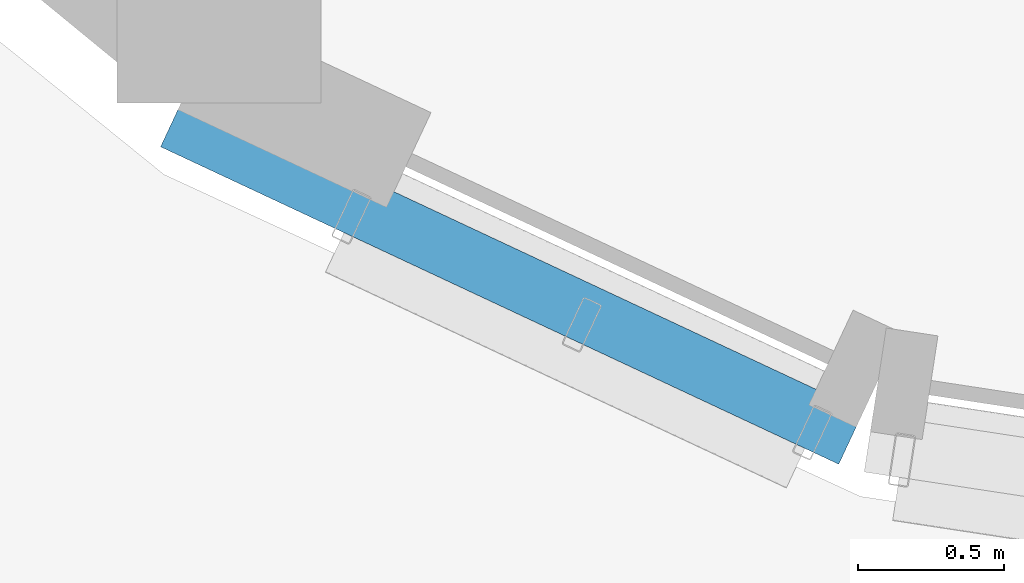
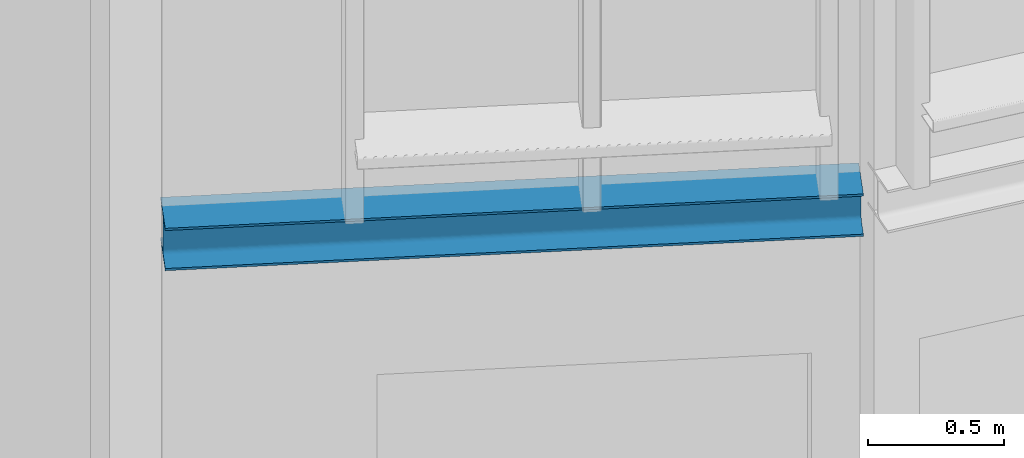
# One storey, part 139 of 372: 1 beam.
"""IFC4 building model written with IfcOpenShell, lengths in metres."""

import ifcopenshell
import ifcopenshell.guid

model = None  # the IFC model being written
_history = None  # IfcOwnerHistory: only IFC2X3 demands one
_inside = {}  # id of a spatial element -> (the spatial element, [elements in it])
_under = {}  # id of a project, library or spatial element -> (it, [spatial elements below it])
_declared = {}  # id of a project -> (the project, [libraries it declares])
_typed = {}  # id of a type object -> (the type object, [elements of that type])
_made_of = {}  # id of a material, layer set ... -> (it, [elements and type objects made of it])


def new_model(schema):
    """Start an empty IFC model of exactly this schema.

    Asked for "IFC4X3", IfcOpenShell would pick the latest addendum, in which some entities
    have other attributes; the version numbers below select the first issue.
    IFC2X3 requires an IfcOwnerHistory on every rooted entity: one is made here for all.
    """
    global model, _history
    if schema == "IFC4X3":
        model = ifcopenshell.file(schema_version=(4, 3, 0, 0))
    else:
        model = ifcopenshell.file(schema=schema)
    _inside.clear()
    _under.clear()
    _declared.clear()
    _typed.clear()
    _made_of.clear()
    _history = None
    if model.schema == "IFC2X3":
        org = make("IfcOrganization", Name="unknown")
        user = make(
            "IfcPersonAndOrganization",
            ThePerson=make("IfcPerson", FamilyName="unknown"),
            TheOrganization=org,
        )
        app = make(
            "IfcApplication",
            ApplicationDeveloper=org,
            Version="unknown",
            ApplicationFullName="unknown",
            ApplicationIdentifier="unknown",
        )
        _history = make(
            "IfcOwnerHistory",
            OwningUser=user,
            OwningApplication=app,
            ChangeAction="ADDED",
            CreationDate=0,
        )
    return model


def make(cls, **values):
    """One entity of the class cls with the attributes given. An attribute that is None is left unset."""
    return model.create_entity(
        cls, **{name: value for name, value in values.items() if value is not None}
    )


def rooted(cls, **values):
    """An entity with a GlobalId (a new one), such as an element, a storey or a relation."""
    return make(cls, GlobalId=ifcopenshell.guid.new(), OwnerHistory=_history, **values)


def si_unit(unit_type, name, prefix=None):
    """IfcSIUnit, for example si_unit("LENGTHUNIT", "METRE", prefix="MILLI")."""
    return make("IfcSIUnit", UnitType=unit_type, Prefix=prefix, Name=name)


def assignment(units):
    """IfcUnitAssignment: the units of a project."""
    return None if units is None else make("IfcUnitAssignment", Units=units)


def point(xyz):
    """IfcCartesianPoint."""
    return None if xyz is None else make("IfcCartesianPoint", Coordinates=xyz)


def direction(xyz):
    """IfcDirection."""
    return None if xyz is None else make("IfcDirection", DirectionRatios=xyz)


def frame(location, z_axis=None, x_axis=None):
    """IfcAxis2Placement3D, a coordinate frame: its origin and axes. An axis left out is left unset."""
    return make(
        "IfcAxis2Placement3D",
        Location=point(location),
        Axis=direction(z_axis),
        RefDirection=direction(x_axis),
    )


def frame_2d(location, x_axis=None):
    """IfcAxis2Placement2D, a coordinate frame in the plane: its origin and x axis."""
    return make(
        "IfcAxis2Placement2D", Location=point(location), RefDirection=direction(x_axis)
    )


def origin():
    """The frame at (0, 0, 0) with its axes left unset."""
    return frame((0.0, 0.0, 0.0))


def origin_2d():
    """The frame at (0, 0) in the plane with its x axis left unset."""
    return frame_2d((0.0, 0.0))


def place(relative_to, where):
    """IfcLocalPlacement: puts the frame where relative to a parent placement (None: the world)."""
    return make(
        "IfcLocalPlacement", PlacementRelTo=relative_to, RelativePlacement=where
    )


def context(
    kind, dimensions, precision=None, world=None, true_north=None, identifier=None
):
    """IfcGeometricRepresentationContext, for example the 3D "Model" context."""
    return make(
        "IfcGeometricRepresentationContext",
        ContextIdentifier=identifier,
        ContextType=kind,
        CoordinateSpaceDimension=dimensions,
        Precision=precision,
        WorldCoordinateSystem=world,
        TrueNorth=true_north,
    )


def subcontext(parent, identifier, kind, view, scale=None):
    """IfcGeometricRepresentationSubContext, for example "Body" below "Model"."""
    return make(
        "IfcGeometricRepresentationSubContext",
        ContextIdentifier=identifier,
        ContextType=kind,
        ParentContext=parent,
        TargetScale=scale,
        TargetView=view,
    )


def project(units=None, contexts=None):
    """IfcProject with its units and contexts."""
    return rooted(
        "IfcProject",
        Name="project",
        RepresentationContexts=contexts,
        UnitsInContext=assignment(units),
    )


def spatial(cls, under=None, at=None, **own):
    """A site, building, storey or space (cls), placed at a placement, below another one or the project."""
    s = rooted(cls, ObjectPlacement=at, **own)
    if under is not None:
        _under.setdefault(under.id(), (under, []))[1].append(s)
    return s


def profile(cls, at=None, kind="AREA", **sizes):
    """A parametric profile (cls). Its sizes go by their IFC names, for example OverallWidth=200.0."""
    return make(cls, ProfileType=kind, Position=at, **sizes)


def i_section(**sizes):
    """IfcIShapeProfileDef."""
    return profile("IfcIShapeProfileDef", **sizes)


def extrude(swept, where, along, depth):
    """IfcExtrudedAreaSolid: the profile swept, set in the frame where, extruded along a direction by depth."""
    return make(
        "IfcExtrudedAreaSolid",
        SweptArea=swept,
        Position=where,
        ExtrudedDirection=direction(along),
        Depth=depth,
    )


def shape(context_of_items, identifier, shape_type, items):
    """IfcShapeRepresentation: the items that make up one representation, for example the "Body"."""
    return make(
        "IfcShapeRepresentation",
        ContextOfItems=context_of_items,
        RepresentationIdentifier=identifier,
        RepresentationType=shape_type,
        Items=items,
    )


def material(Name=None, Category=None):
    """IfcMaterial."""
    return make("IfcMaterial", Name=Name, Category=Category)


def material_profile(
    of_material, cross_section, Name=None, Category=None, Priority=None
):
    """IfcMaterialProfile: a cross section and its material."""
    return make(
        "IfcMaterialProfile",
        Name=Name,
        Material=of_material,
        Profile=cross_section,
        Priority=Priority,
        Category=Category,
    )


def profile_set(profiles, Name=None, composite=None):
    """IfcMaterialProfileSet."""
    return make(
        "IfcMaterialProfileSet",
        Name=Name,
        MaterialProfiles=profiles,
        CompositeProfile=composite,
    )


def made_of(thing, what):
    """Note that an element or type object is made of a material, layer set ...; save() writes the relation."""
    if what is not None:
        _made_of.setdefault(what.id(), (what, []))[1].append(thing)
    return thing


def type_object(cls, material=None, **own):
    """A type object (cls), such as IfcWallType, which elements share."""
    return made_of(rooted(cls, **own), material)


def element(
    cls,
    number,
    at=None,
    inside=None,
    cuts=None,
    type_object=None,
    material=None,
    context=None,
    identifier="Body",
    shape_type=None,
    held_by="IfcProductDefinitionShape",
    body=None,
    shapes=None,
    **own,
):
    """One element of the class cls, such as IfcWall. Its Tag is "e" and its number.

    at: its placement. inside: the storey or other place that contains it. cuts: it is an
    opening in that element (IfcRelVoidsElement). A single representation is given by context,
    identifier, shape_type and body (its items); several are given by shapes. held_by: the class
    of the entity that holds the representations. save() writes the other relations.
    """
    e = rooted(cls, Tag="e%d" % number, ObjectPlacement=at, **own)
    if body is not None:
        shapes = [shape(context, identifier, shape_type, body)]
    if shapes is not None:
        e.Representation = make(held_by, Representations=shapes)
    if inside is not None:
        _inside.setdefault(inside.id(), (inside, []))[1].append(e)
    if cuts is not None:
        rooted(
            "IfcRelVoidsElement", RelatingBuildingElement=cuts, RelatedOpeningElement=e
        )
    if type_object is not None:
        _typed.setdefault(type_object.id(), (type_object, []))[1].append(e)
    return made_of(e, material)


def aggregate(whole, parts):
    """IfcRelAggregates: a whole, such as a stair, and the parts it consists of."""
    return rooted("IfcRelAggregates", RelatingObject=whole, RelatedObjects=parts)


def save(model, path):
    """Write the relations noted so far, then the file.

    IfcRelAggregates (storeys below a building ...), IfcRelContainedInSpatialStructure (elements
    in a storey), IfcRelDefinesByType, IfcRelAssociatesMaterial and IfcRelDeclares: one each for
    every whole, place, type object, material and project.
    """
    for whole, parts in _under.values():
        aggregate(whole, parts)
    for where, things in _inside.values():
        rooted(
            "IfcRelContainedInSpatialStructure",
            RelatedElements=things,
            RelatingStructure=where,
        )
    for kind, things in _typed.values():
        rooted("IfcRelDefinesByType", RelatedObjects=things, RelatingType=kind)
    for what, things in _made_of.values():
        rooted("IfcRelAssociatesMaterial", RelatedObjects=things, RelatingMaterial=what)
    for by, libraries in _declared.values():
        rooted("IfcRelDeclares", RelatingContext=by, RelatedDefinitions=libraries)
    model.write(path)


model = new_model("IFC4")

# Units and contexts
model_context = context("Model", 3, precision=1e-05, world=origin(), true_north=direction((0.0, 1.0)))
body_context = subcontext(model_context, "Body", "Model", "MODEL_VIEW")
ifc_project = project(units=[si_unit("LENGTHUNIT", "METRE"), si_unit("AREAUNIT", "SQUARE_METRE"), si_unit("VOLUMEUNIT", "CUBIC_METRE"), si_unit("PLANEANGLEUNIT", "RADIAN"), si_unit("MASSUNIT", "GRAM", prefix="KILO")], contexts=[model_context])

# Site, building, storey
site_placement = place(None, origin())
site = spatial("IfcSite", under=ifc_project, at=site_placement, CompositionType="ELEMENT")
building_placement = place(site_placement, origin())
building = spatial("IfcBuilding", under=site, at=building_placement, Name="Kaelora Sail Theatre", CompositionType="ELEMENT")
storey_placement = place(building_placement, origin())
storey = spatial("IfcBuildingStorey", under=building, at=storey_placement, Name="L00", CompositionType="ELEMENT", Elevation=0.0)

# Beam
ifc_material = material(Name="Steel S355", Category="steel")
ifc_material_profile = material_profile(ifc_material, i_section(OverallWidth=0.199951171875, OverallDepth=0.18994140625, WebThickness=0.006591796875, FlangeThickness=0.010009765625, FilletRadius=0.01806640625, at=origin_2d()), Name="HEA 200")
ifc_profile_set = profile_set([ifc_material_profile], Name="Steel S355")
beam_type = type_object("IfcBeamType", Name="STR-BM-BM-HEA200", PredefinedType="BEAM", material=ifc_profile_set)
beam_placement = place(storey_placement, frame((88.1005859375, 31.42724609375, 3.0048828125), z_axis=(-0.905675487445, 0.423971592728, 0.0), x_axis=(-0.423971592728, -0.905675487445, 0.0)))
element("IfcBeam", 1, at=beam_placement, inside=storey, type_object=beam_type, Name="Studio Theatre Sail Drum brise-soleil portal lintel beam C12", PredefinedType="BEAM", context=body_context, shape_type="SweptSolid", body=[
    extrude(i_section(OverallWidth=0.199951171875, OverallDepth=0.18994140625, WebThickness=0.006591796875, FlangeThickness=0.010009765625, FilletRadius=0.01806640625, at=origin_2d()), origin(), (0.0, 0.0, 1.0), 2.571044921875),
])

save(model, "model.ifc")
